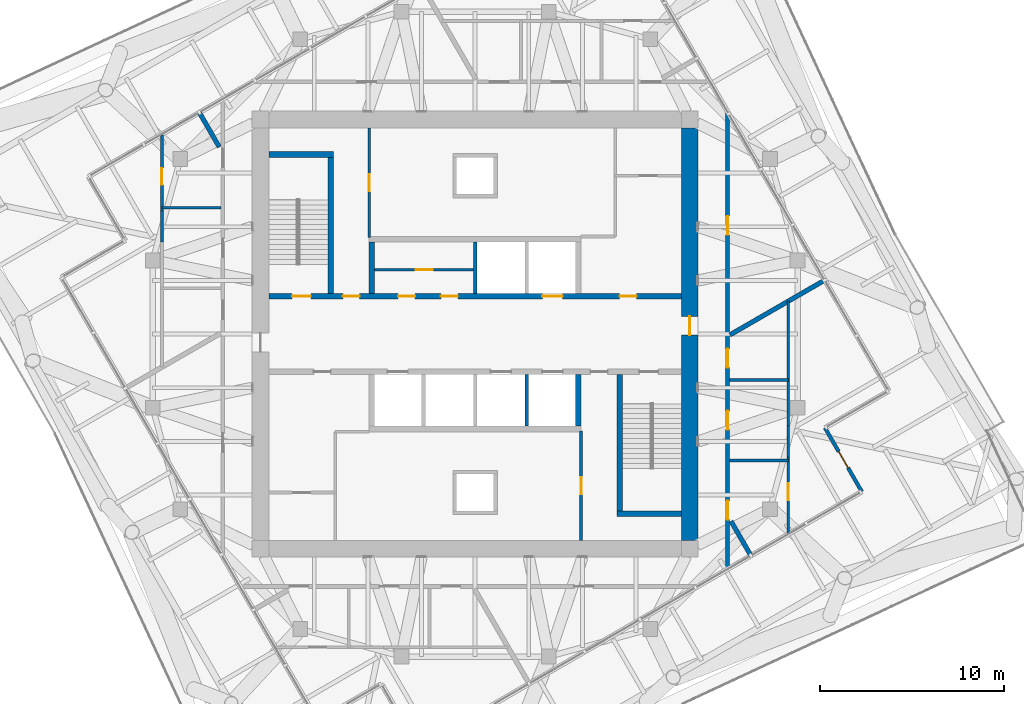
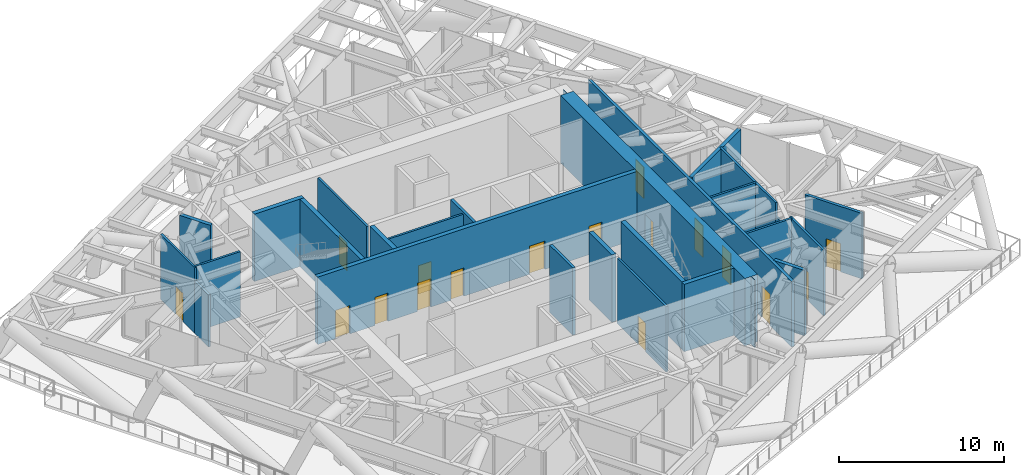
# One storey, part 9 of 12: 26 walls, 17 doors, 17 openings.
"""IFC4 building model written with IfcOpenShell, lengths in metres."""

from ifc_helpers import new_model, si_unit, direction, frame, frame_2d, origin, place, context, subcontext, project, spatial, polyline, rectangle, outline, extrude, material, layer, layer_set, type_object, element, fill, save


model = new_model("IFC4")

# Units and contexts
model_context = context("Model", 3, precision=1e-05, world=origin(), true_north=direction((0.0, 1.0)))
body_context = subcontext(model_context, "Body", "Model", "MODEL_VIEW")
ifc_project = project(units=[si_unit("LENGTHUNIT", "METRE"), si_unit("AREAUNIT", "SQUARE_METRE"), si_unit("VOLUMEUNIT", "CUBIC_METRE"), si_unit("PLANEANGLEUNIT", "RADIAN"), si_unit("MASSUNIT", "GRAM", prefix="KILO")], contexts=[model_context])

# Site, building, storey
site_placement = place(None, origin())
site = spatial("IfcSite", under=ifc_project, at=site_placement, CompositionType="ELEMENT")
building_placement = place(site_placement, origin())
building = spatial("IfcBuilding", under=site, at=building_placement, Name="Torsade Residences", CompositionType="ELEMENT")
storey_placement = place(building_placement, frame((0.0, 0.0, 203.199951171875)))
storey = spatial("IfcBuildingStorey", under=building, at=storey_placement, Name="L56", CompositionType="ELEMENT", Elevation=203.199951171875)

# Wall, openings, doors
ifc_material_1 = material(Name="Concrete 80 MPa", Category="concrete")
ifc_layer_1 = layer(ifc_material_1, 0.300048828125)
ifc_layer_set_1 = layer_set([ifc_layer_1], Name="Concrete 80 MPa")
wall_type_1 = type_object("IfcWallType", Name="CORE INTERNAL WALL 300", PredefinedType="SHEAR", material=ifc_layer_set_1)
wall_1_placement = place(storey_placement, frame((28.800048828125, 32.050048828125, 0.0), z_axis=(0.0, 0.0, 1.0), x_axis=(1.0, 0.0, 0.0)))
wall_1 = element("IfcWall", 1, at=wall_1_placement, inside=storey, type_object=wall_type_1, Name="Core wall LN L56", PredefinedType="SHEAR", context=body_context, shape_type="SweptSolid", body=[
    extrude(rectangle(XDim=22.39990234375, YDim=0.300048828125, at=frame_2d((11.199951171875, 0.0))), origin(), (0.0, 0.0, 1.0), 5.0),
])
opening_1_placement = place(wall_1_placement, frame((19.0400390625, 0.0, 0.0)))
opening_1 = element("IfcOpeningElement", 2, at=opening_1_placement, cuts=wall_1, Name="Opening D06", PredefinedType="OPENING", context=body_context, shape_type="SweptSolid", body=[
    extrude(rectangle(XDim=0.919921875, YDim=2.10009765625, at=frame_2d((0.4599609375, 1.050048828125))), frame((0.0, 0.159912109375, 0.0), z_axis=(0.0, -1.0, 0.0), x_axis=(1.0, 0.0, 0.0)), (0.0, 0.0, 1.0), 0.320068359375),
])
opening_2_placement = place(wall_1_placement, frame((1.264892578125, 0.0, 0.0)))
opening_2 = element("IfcOpeningElement", 3, at=opening_2_placement, cuts=wall_1, Name="Opening D03", PredefinedType="OPENING", context=body_context, shape_type="SweptSolid", body=[
    extrude(rectangle(XDim=1.02001953125, YDim=2.10009765625, at=frame_2d((0.510009765625, 1.050048828125))), frame((0.0, 0.159912109375, 0.0), z_axis=(0.0, -1.0, 0.0), x_axis=(1.0, 0.0, 0.0)), (0.0, 0.0, 1.0), 0.320068359375),
])
opening_3_placement = place(wall_1_placement, frame((4.014892578125, 0.0, 0.0)))
opening_3 = element("IfcOpeningElement", 4, at=opening_3_placement, cuts=wall_1, Name="Opening D06", PredefinedType="OPENING", context=body_context, shape_type="SweptSolid", body=[
    extrude(rectangle(XDim=0.919921875, YDim=2.10009765625, at=frame_2d((0.4599609375, 1.050048828125))), frame((0.0, 0.159912109375, 0.0), z_axis=(0.0, -1.0, 0.0), x_axis=(1.0, 0.0, 0.0)), (0.0, 0.0, 1.0), 0.320068359375),
])
opening_4_placement = place(wall_1_placement, frame((7.014892578125, 0.0, 0.0)))
opening_4 = element("IfcOpeningElement", 5, at=opening_4_placement, cuts=wall_1, Name="Opening D06", PredefinedType="OPENING", context=body_context, shape_type="SweptSolid", body=[
    extrude(rectangle(XDim=0.919921875, YDim=2.10009765625, at=frame_2d((0.4599609375, 1.050048828125))), frame((0.0, 0.159912109375, 0.0), z_axis=(0.0, -1.0, 0.0), x_axis=(1.0, 0.0, 0.0)), (0.0, 0.0, 1.0), 0.320068359375),
])
opening_5_placement = place(wall_1_placement, frame((9.340087890625, 0.0, 0.0)))
opening_5 = element("IfcOpeningElement", 6, at=opening_5_placement, cuts=wall_1, Name="Opening D06", PredefinedType="OPENING", context=body_context, shape_type="SweptSolid", body=[
    extrude(rectangle(XDim=0.919921875, YDim=2.10009765625, at=frame_2d((0.4599609375, 1.050048828125))), frame((0.0, 0.159912109375, 0.0), z_axis=(0.0, -1.0, 0.0), x_axis=(1.0, 0.0, 0.0)), (0.0, 0.0, 1.0), 0.320068359375),
])
opening_6_placement = place(wall_1_placement, frame((14.85009765625, 0.0, 0.0)))
opening_6 = element("IfcOpeningElement", 7, at=opening_6_placement, cuts=wall_1, Name="Opening LD", PredefinedType="OPENING", context=body_context, shape_type="SweptSolid", body=[
    extrude(rectangle(XDim=1.10009765625, YDim=2.10009765625, at=frame_2d((0.550048828125, 1.050048828125))), frame((0.0, 0.159912109375, 0.0), z_axis=(0.0, -1.0, 0.0), x_axis=(1.0, 0.0, 0.0)), (0.0, 0.0, 1.0), 0.320068359375),
])
ifc_material_2 = material(Name="Steel-framed fire door", Category="steel")
door_type_1 = type_object("IfcDoorType", Name="FIRE DOOR 1020", OperationType="NOTDEFINED", PredefinedType="DOOR", material=ifc_material_2)
door_1_placement = place(opening_2_placement, origin())
door_1 = element("IfcDoor", 8, at=door_1_placement, inside=storey, type_object=door_type_1, Name="Exit door to fire-isolated stair ST1 L56", OperationType="SINGLE_SWING_RIGHT", OverallHeight=2.10009765625, OverallWidth=1.02001953125, PredefinedType="DOOR", context=body_context, shape_type="SweptSolid", body=[
    extrude(rectangle(XDim=1.02001953125, YDim=2.10009765625, at=frame_2d((0.510009765625, 1.050048828125))), frame((0.0, 0.02490234375, 0.0), z_axis=(0.0, -1.0, 0.0), x_axis=(1.0, 0.0, 0.0)), (0.0, 0.0, 1.0), 0.050048828125),
])
fill(opening_2, door_1)
ifc_material_3 = material(Name="Steel-framed fire door", Category="steel")
door_type_2 = type_object("IfcDoorType", Name="FIRE DOOR 920", OperationType="NOTDEFINED", PredefinedType="DOOR", material=ifc_material_3)
door_2_placement = place(opening_1_placement, origin())
door_2 = element("IfcDoor", 9, at=door_2_placement, inside=storey, type_object=door_type_2, Name="Door Lift lobby to Refuse room", OperationType="SINGLE_SWING_LEFT", OverallHeight=2.10009765625, OverallWidth=0.919921875, PredefinedType="DOOR", context=body_context, shape_type="SweptSolid", body=[
    extrude(rectangle(XDim=0.919921875, YDim=2.10009765625, at=frame_2d((0.4599609375, 1.050048828125))), frame((0.0, 0.02490234375, 0.0), z_axis=(0.0, -1.0, 0.0), x_axis=(1.0, 0.0, 0.0)), (0.0, 0.0, 1.0), 0.050048828125),
])
fill(opening_1, door_2)
door_3_placement = place(opening_3_placement, origin())
door_3 = element("IfcDoor", 10, at=door_3_placement, inside=storey, type_object=door_type_2, Name="Door Lift lobby to Main switchboard store", OperationType="SINGLE_SWING_LEFT", OverallHeight=2.10009765625, OverallWidth=0.919921875, PredefinedType="DOOR", context=body_context, shape_type="SweptSolid", body=[
    extrude(rectangle(XDim=0.919921875, YDim=2.10009765625, at=frame_2d((0.4599609375, 1.050048828125))), frame((0.0, 0.02490234375, 0.0), z_axis=(0.0, -1.0, 0.0), x_axis=(1.0, 0.0, 0.0)), (0.0, 0.0, 1.0), 0.050048828125),
])
fill(opening_3, door_3)
door_4_placement = place(opening_4_placement, origin())
door_4 = element("IfcDoor", 11, at=door_4_placement, inside=storey, type_object=door_type_2, Name="Door Lift lobby to Parcel room L56A", OperationType="SINGLE_SWING_RIGHT", OverallHeight=2.10009765625, OverallWidth=0.919921875, PredefinedType="DOOR", context=body_context, shape_type="SweptSolid", body=[
    extrude(rectangle(XDim=0.919921875, YDim=2.10009765625, at=frame_2d((0.4599609375, 1.050048828125))), frame((0.0, 0.02490234375, 0.0), z_axis=(0.0, -1.0, 0.0), x_axis=(1.0, 0.0, 0.0)), (0.0, 0.0, 1.0), 0.050048828125),
])
fill(opening_4, door_4)
door_5_placement = place(opening_5_placement, origin())
door_5 = element("IfcDoor", 12, at=door_5_placement, inside=storey, type_object=door_type_2, Name="Door Lift lobby to Parcel room L56A", OperationType="SINGLE_SWING_RIGHT", OverallHeight=2.10009765625, OverallWidth=0.919921875, PredefinedType="DOOR", context=body_context, shape_type="SweptSolid", body=[
    extrude(rectangle(XDim=0.919921875, YDim=2.10009765625, at=frame_2d((0.4599609375, 1.050048828125))), frame((0.0, 0.02490234375, 0.0), z_axis=(0.0, -1.0, 0.0), x_axis=(1.0, 0.0, 0.0)), (0.0, 0.0, 1.0), 0.050048828125),
])
fill(opening_5, door_5)
ifc_material_4 = material(Name="Stainless steel lift landing door", Category="steel")
door_type_3 = type_object("IfcDoorType", Name="LIFT LANDING DOOR 1100", OperationType="SLIDING_TO_LEFT", PredefinedType="DOOR", material=ifc_material_4)
door_6_placement = place(opening_6_placement, origin())
door_6 = element("IfcDoor", 13, at=door_6_placement, inside=storey, type_object=door_type_3, Name="Lift FL1 landing door L56", OperationType="SLIDING_TO_LEFT", OverallHeight=2.10009765625, OverallWidth=1.10009765625, PredefinedType="DOOR", context=body_context, shape_type="SweptSolid", body=[
    extrude(rectangle(XDim=1.10009765625, YDim=2.10009765625, at=frame_2d((0.550048828125, 1.050048828125))), frame((0.0, 0.02490234375, 0.0), z_axis=(0.0, -1.0, 0.0), x_axis=(1.0, 0.0, 0.0)), (0.0, 0.0, 1.0), 0.050048828125),
])
fill(opening_6, door_6)

# Walls
for number, where, z_axis, x_axis, name in (
    (14, (34.39990234375, 32.199951171875, 0.0), (0.0, 0.0, 1.0), (0.0, 1.0, 0.0), "Core wall DN0 L56"),
    (15, (45.60009765625, 27.800048828125, 0.0), (0.0, 0.0, 1.0), (0.0, -1.0, 0.0), "Core wall DS0 L56"),
):
    element("IfcWall", number, at=place(storey_placement, frame(where, z_axis=z_axis, x_axis=x_axis)), inside=storey, type_object=wall_type_1, Name=name, PredefinedType="SHEAR", context=body_context, shape_type="SweptSolid", body=[
        extrude(rectangle(XDim=2.800048828125, YDim=0.300048828125, at=frame_2d((1.39990234375, 0.0))), origin(), (0.0, 0.0, 1.0), 5.0),
    ])
wall_2_placement = place(storey_placement, frame((32.14990234375, 32.199951171875, 0.0), z_axis=(0.0, 0.0, 1.0), x_axis=(0.0, 1.0, 0.0)))
element("IfcWall", 16, at=wall_2_placement, inside=storey, type_object=wall_type_1, Name="Core wall ST1E L56", PredefinedType="SHEAR", context=body_context, shape_type="SweptSolid", body=[
    extrude(rectangle(XDim=7.699951171875, YDim=0.300048828125, at=frame_2d((3.85009765625, 0.0))), origin(), (0.0, 0.0, 1.0), 5.0),
])
wall_3_placement = place(storey_placement, frame((28.800048828125, 39.75, 0.0), z_axis=(0.0, 0.0, 1.0), x_axis=(1.0, 0.0, 0.0)))
element("IfcWall", 17, at=wall_3_placement, inside=storey, type_object=wall_type_1, Name="Core wall ST1N L56", PredefinedType="SHEAR", context=body_context, shape_type="SweptSolid", body=[
    extrude(rectangle(XDim=3.5, YDim=0.300048828125, at=frame_2d((1.75, 0.0))), origin(), (0.0, 0.0, 1.0), 5.0),
])
wall_4_placement = place(storey_placement, frame((47.85009765625, 27.800048828125, 0.0), z_axis=(0.0, 0.0, 1.0), x_axis=(0.0, -1.0, 0.0)))
element("IfcWall", 18, at=wall_4_placement, inside=storey, type_object=wall_type_1, Name="Core wall ST2W L56", PredefinedType="SHEAR", context=body_context, shape_type="SweptSolid", body=[
    extrude(rectangle(XDim=7.699951171875, YDim=0.300048828125, at=frame_2d((3.85009765625, 0.0))), origin(), (0.0, 0.0, 1.0), 5.0),
])
wall_5_placement = place(storey_placement, frame((51.199951171875, 20.25, 0.0), z_axis=(0.0, 0.0, 1.0), x_axis=(-1.0, 0.0, 0.0)))
element("IfcWall", 19, at=wall_5_placement, inside=storey, type_object=wall_type_1, Name="Core wall ST2S L56", PredefinedType="SHEAR", context=body_context, shape_type="SweptSolid", body=[
    extrude(rectangle(XDim=3.5, YDim=0.300048828125, at=frame_2d((1.75, 0.0))), origin(), (0.0, 0.0, 1.0), 5.0),
])

# Wall, opening, door
ifc_material_5 = material(Name="Concrete 80 MPa", Category="concrete")
ifc_layer_2 = layer(ifc_material_5, 0.89990234375)
ifc_layer_set_2 = layer_set([ifc_layer_2], Name="Concrete 80 MPa")
wall_type_2 = type_object("IfcWallType", Name="CORE WALL 900", PredefinedType="SHEAR", material=ifc_layer_set_2)
wall_6_placement = place(storey_placement, frame((51.64990234375, 18.800048828125, 0.0), z_axis=(0.0, 0.0, 1.0), x_axis=(0.0, 1.0, 0.0)))
wall_6 = element("IfcWall", 20, at=wall_6_placement, inside=storey, type_object=wall_type_2, Name="Core wall E L56", PredefinedType="SHEAR", context=body_context, shape_type="SweptSolid", body=[
    extrude(outline(polyline([(0.0, -0.449951171875), (22.39990234375, -0.449951171875), (22.39990234375, -0.02490234375), (22.849853515625, -0.02490234375), (22.849853515625, 0.02490234375), (22.39990234375, 0.02490234375), (22.39990234375, 0.449951171875), (0.0, 0.449951171875), (0.0, 0.02490234375), (-0.449951171875, 0.02490234375), (-0.449951171875, -0.02490234375), (0.0, -0.02490234375), (0.0, -0.449951171875)])), origin(), (0.0, 0.0, 1.0), 5.0),
])
opening_7_placement = place(wall_6_placement, frame((11.139892578125, 0.0, 0.0)))
opening_7 = element("IfcOpeningElement", 21, at=opening_7_placement, cuts=wall_6, Name="Opening D04", PredefinedType="OPENING", context=body_context, shape_type="SweptSolid", body=[
    extrude(rectangle(XDim=1.02001953125, YDim=2.39990234375, at=frame_2d((0.510009765625, 1.199951171875))), frame((0.0, 0.4599609375, 0.0), z_axis=(0.0, -1.0, 0.0), x_axis=(1.0, 0.0, 0.0)), (0.0, 0.0, 1.0), 0.919921875),
])
ifc_material_6 = material(Name="Steel-framed fire door", Category="steel")
door_type_4 = type_object("IfcDoorType", Name="LOBBY SMOKE DOOR 1020x2400", OperationType="NOTDEFINED", PredefinedType="DOOR", material=ifc_material_6)
door_7_placement = place(opening_7_placement, origin())
door_7 = element("IfcDoor", 22, at=door_7_placement, inside=storey, type_object=door_type_4, Name="Lift lobby door E L56", OperationType="SINGLE_SWING_LEFT", OverallHeight=2.39990234375, OverallWidth=1.02001953125, PredefinedType="DOOR", context=body_context, shape_type="SweptSolid", body=[
    extrude(rectangle(XDim=1.02001953125, YDim=2.39990234375, at=frame_2d((0.510009765625, 1.199951171875))), frame((0.0, 0.02490234375, 0.0), z_axis=(0.0, -1.0, 0.0), x_axis=(1.0, 0.0, 0.0)), (0.0, 0.0, 1.0), 0.050048828125),
])
fill(opening_7, door_7)

# Wall, openings, doors
ifc_material_7 = material(Name="Plasterboard on steel stud", Category="steel")
ifc_layer_3 = layer(ifc_material_7, 0.199951171875)
ifc_layer_set_3 = layer_set([ifc_layer_3], Name="Plasterboard on steel stud")
wall_type_3 = type_object("IfcWallType", Name="CORRIDOR WALL 200", PredefinedType="PARTITIONING", material=ifc_layer_set_3)
wall_7_placement = place(storey_placement, frame((53.699951171875, 17.286865234375, 0.0), z_axis=(0.0, 0.0, 1.0), x_axis=(0.0, 1.0, 0.0)))
wall_7 = element("IfcWall", 23, at=wall_7_placement, inside=storey, type_object=wall_type_3, Name="Corridor wall L56", PredefinedType="PARTITIONING", context=body_context, shape_type="SweptSolid", body=[
    extrude(rectangle(XDim=24.7041015625, YDim=0.199951171875, at=frame_2d((12.35205078125, 0.0))), origin(), (0.0, 0.0, 1.0), 4.85009765625),
])
opening_8_placement = place(wall_7_placement, frame((18.094482421875, 0.0, 0.0)))
opening_8 = element("IfcOpeningElement", 24, at=opening_8_placement, cuts=wall_7, Name="Opening D01", PredefinedType="OPENING", context=body_context, shape_type="SweptSolid", body=[
    extrude(rectangle(XDim=1.02001953125, YDim=2.340087890625, at=frame_2d((0.510009765625, 1.169921875))), frame((0.0, 0.10986328125, 0.0), z_axis=(0.0, -1.0, 0.0), x_axis=(1.0, 0.0, 0.0)), (0.0, 0.0, 1.0), 0.219970703125),
])
opening_9_placement = place(wall_7_placement, frame((2.642333984375, 0.0, 0.0)))
opening_9 = element("IfcOpeningElement", 25, at=opening_9_placement, cuts=wall_7, Name="Opening D01", PredefinedType="OPENING", context=body_context, shape_type="SweptSolid", body=[
    extrude(rectangle(XDim=1.02001953125, YDim=2.340087890625, at=frame_2d((0.510009765625, 1.169921875))), frame((0.0, 0.10986328125, 0.0), z_axis=(0.0, -1.0, 0.0), x_axis=(1.0, 0.0, 0.0)), (0.0, 0.0, 1.0), 0.219970703125),
])
opening_10_placement = place(wall_7_placement, frame((7.533935546875, 0.0, 0.0)))
opening_10 = element("IfcOpeningElement", 26, at=opening_10_placement, cuts=wall_7, Name="Opening D01", PredefinedType="OPENING", context=body_context, shape_type="SweptSolid", body=[
    extrude(rectangle(XDim=1.02001953125, YDim=2.340087890625, at=frame_2d((0.510009765625, 1.169921875))), frame((0.0, 0.10986328125, 0.0), z_axis=(0.0, -1.0, 0.0), x_axis=(1.0, 0.0, 0.0)), (0.0, 0.0, 1.0), 0.219970703125),
])
opening_11_placement = place(wall_7_placement, frame((10.894287109375, 0.0, 0.0)))
opening_11 = element("IfcOpeningElement", 27, at=opening_11_placement, cuts=wall_7, Name="Opening D01", PredefinedType="OPENING", context=body_context, shape_type="SweptSolid", body=[
    extrude(rectangle(XDim=1.02001953125, YDim=2.340087890625, at=frame_2d((0.510009765625, 1.169921875))), frame((0.0, 0.10986328125, 0.0), z_axis=(0.0, -1.0, 0.0), x_axis=(1.0, 0.0, 0.0)), (0.0, 0.0, 1.0), 0.219970703125),
])
ifc_material_8 = material(Name="Solid-core timber fire door", Category="wood")
door_type_5 = type_object("IfcDoorType", Name="APARTMENT ENTRY DOOR 1020x2340", OperationType="NOTDEFINED", PredefinedType="DOOR", material=ifc_material_8)
door_8_placement = place(opening_8_placement, origin())
door_8 = element("IfcDoor", 28, at=door_8_placement, inside=storey, type_object=door_type_5, Name="Door Plant corridor to Refuge area", OperationType="SINGLE_SWING_LEFT", OverallHeight=2.340087890625, OverallWidth=1.02001953125, PredefinedType="DOOR", context=body_context, shape_type="SweptSolid", body=[
    extrude(rectangle(XDim=1.02001953125, YDim=2.340087890625, at=frame_2d((0.510009765625, 1.169921875))), frame((0.0, 0.02490234375, 0.0), z_axis=(0.0, -1.0, 0.0), x_axis=(1.0, 0.0, 0.0)), (0.0, 0.0, 1.0), 0.050048828125),
])
fill(opening_8, door_8)
door_9_placement = place(opening_9_placement, origin())
door_9 = element("IfcDoor", 29, at=door_9_placement, inside=storey, type_object=door_type_5, Name="Door Plant corridor to Service lobby", OperationType="SINGLE_SWING_RIGHT", OverallHeight=2.340087890625, OverallWidth=1.02001953125, PredefinedType="DOOR", context=body_context, shape_type="SweptSolid", body=[
    extrude(rectangle(XDim=1.02001953125, YDim=2.340087890625, at=frame_2d((0.510009765625, 1.169921875))), frame((0.0, 0.02490234375, 0.0), z_axis=(0.0, -1.0, 0.0), x_axis=(1.0, 0.0, 0.0)), (0.0, 0.0, 1.0), 0.050048828125),
])
fill(opening_9, door_9)
door_10_placement = place(opening_10_placement, origin())
door_10 = element("IfcDoor", 30, at=door_10_placement, inside=storey, type_object=door_type_5, Name="Door Plant corridor to Pump room", OperationType="SINGLE_SWING_LEFT", OverallHeight=2.340087890625, OverallWidth=1.02001953125, PredefinedType="DOOR", context=body_context, shape_type="SweptSolid", body=[
    extrude(rectangle(XDim=1.02001953125, YDim=2.340087890625, at=frame_2d((0.510009765625, 1.169921875))), frame((0.0, 0.02490234375, 0.0), z_axis=(0.0, -1.0, 0.0), x_axis=(1.0, 0.0, 0.0)), (0.0, 0.0, 1.0), 0.050048828125),
])
fill(opening_10, door_10)
door_11_placement = place(opening_11_placement, origin())
door_11 = element("IfcDoor", 31, at=door_11_placement, inside=storey, type_object=door_type_5, Name="Door Plant corridor to Plant cupboard", OperationType="SINGLE_SWING_LEFT", OverallHeight=2.340087890625, OverallWidth=1.02001953125, PredefinedType="DOOR", context=body_context, shape_type="SweptSolid", body=[
    extrude(rectangle(XDim=1.02001953125, YDim=2.340087890625, at=frame_2d((0.510009765625, 1.169921875))), frame((0.0, 0.02490234375, 0.0), z_axis=(0.0, -1.0, 0.0), x_axis=(1.0, 0.0, 0.0)), (0.0, 0.0, 1.0), 0.050048828125),
])
fill(opening_11, door_11)

# Walls
ifc_material_9 = material(Name="Reinforced blockwork", Category="masonry")
ifc_layer_4 = layer(ifc_material_9, 0.199951171875)
ifc_layer_set_4 = layer_set([ifc_layer_4], Name="Reinforced blockwork")
wall_type_4 = type_object("IfcWallType", Name="LIFT SHAFT DIVIDING WALL 200", PredefinedType="SOLIDWALL", material=ifc_layer_set_4)
for number, where, z_axis, x_axis, name in (
    (32, (42.800048828125, 27.800048828125, 0.0), (0.0, 0.0, 1.0), (0.0, -1.0, 0.0), "Core wall DS1 L56"),
    (33, (40.0, 32.199951171875, 0.0), (0.0, 0.0, 1.0), (0.0, 1.0, 0.0), "Core wall DN2 L56"),
):
    element("IfcWall", number, at=place(storey_placement, frame(where, z_axis=z_axis, x_axis=x_axis)), inside=storey, type_object=wall_type_4, Name=name, PredefinedType="SOLIDWALL", context=body_context, shape_type="SweptSolid", body=[
        extrude(rectangle(XDim=2.800048828125, YDim=0.199951171875, at=frame_2d((1.39990234375, 0.0))), origin(), (0.0, 0.0, 1.0), 5.0),
    ])
ifc_material_10 = material(Name="Masonry-lined stud party wall", Category="masonry")
ifc_layer_5 = layer(ifc_material_10, 0.25)
ifc_layer_set_5 = layer_set([ifc_layer_5], Name="Masonry-lined stud party wall")
wall_type_5 = type_object("IfcWallType", Name="PARTY WALL 250", PredefinedType="PARTITIONING", material=ifc_layer_set_5)
wall_8_placement = place(storey_placement, frame((54.968994140625, 17.97314453125, 0.0), z_axis=(0.0, 0.0, 1.0), x_axis=(-0.500087501723, 0.865974878747, 0.0)))
element("IfcWall", 34, at=wall_8_placement, inside=storey, type_object=wall_type_5, Name="Party wall L56", PredefinedType="PARTITIONING", context=body_context, shape_type="SweptSolid", body=[
    extrude(rectangle(XDim=2.1611328125, YDim=0.25, at=frame_2d((1.08056640625, 0.0))), origin(), (0.0, 0.0, 1.0), 4.85009765625),
])
wall_9_placement = place(storey_placement, frame((58.976806640625, 32.93115234375, 0.0), z_axis=(0.0, 0.0, 1.0), x_axis=(-0.866013262469, -0.500021028785, 0.0)))
element("IfcWall", 35, at=wall_9_placement, inside=storey, type_object=wall_type_5, Name="Party wall L56", PredefinedType="PARTITIONING", context=body_context, shape_type="SweptSolid", body=[
    extrude(rectangle(XDim=5.945556640625, YDim=0.25, at=frame_2d((2.97265625, 0.0))), origin(), (0.0, 0.0, 1.0), 4.85009765625),
])
wall_10_placement = place(storey_placement, frame((25.031005859375, 42.02685546875, 0.0), z_axis=(0.0, 0.0, 1.0), x_axis=(0.500087501723, -0.865974878747, 0.0)))
element("IfcWall", 36, at=wall_10_placement, inside=storey, type_object=wall_type_5, Name="Party wall L56", PredefinedType="PARTITIONING", context=body_context, shape_type="SweptSolid", body=[
    extrude(rectangle(XDim=2.1611328125, YDim=0.25, at=frame_2d((1.08056640625, 0.0))), origin(), (0.0, 0.0, 1.0), 4.85009765625),
])

# Wall, opening, door
ifc_material_11 = material(Name="Stone-faced precast concrete 40 MPa panel", Category="masonry")
ifc_layer_6 = layer(ifc_material_11, 0.199951171875)
ifc_layer_set_6 = layer_set([ifc_layer_6], Name="Stone-faced precast concrete 40 MPa panel")
wall_type_6 = type_object("IfcWallType", Name="PLANT ROOM EXTERNAL WALL 200", PredefinedType="SOLIDWALL", material=ifc_layer_set_6)
wall_11_placement = place(storey_placement, frame((60.98779296875, 21.4482421875, 0.0), z_axis=(0.0, 0.0, 1.0), x_axis=(-0.49999894854, 0.866026010844, 0.0)))
wall_11 = element("IfcWall", 37, at=wall_11_placement, inside=storey, type_object=wall_type_6, Name="Plant room wall L56 2", PredefinedType="SOLIDWALL", context=body_context, shape_type="SweptSolid", body=[
    extrude(rectangle(XDim=4.0, YDim=0.199951171875, at=frame_2d((2.0, 0.0))), origin(), (0.0, 0.0, 1.0), 4.85009765625),
])
opening_12_placement = place(wall_11_placement, frame((1.489990234375, 0.0, 0.0)))
opening_12 = element("IfcOpeningElement", 38, at=opening_12_placement, cuts=wall_11, Name="Opening D11", PredefinedType="OPENING", context=body_context, shape_type="SweptSolid", body=[
    extrude(rectangle(XDim=1.02001953125, YDim=2.10009765625, at=frame_2d((0.510009765625, 1.050048828125))), frame((0.0, 0.10986328125, 0.0), z_axis=(0.0, -1.0, 0.0), x_axis=(1.0, 0.0, 0.0)), (0.0, 0.0, 1.0), 0.219970703125),
])
ifc_material_12 = material(Name="Steel-framed external door", Category="steel")
door_type_6 = type_object("IfcDoorType", Name="MAINTENANCE ROOF DOOR 1020", OperationType="NOTDEFINED", PredefinedType="DOOR", material=ifc_material_12)
door_12_placement = place(opening_12_placement, origin())
door_12 = element("IfcDoor", 39, at=door_12_placement, inside=storey, type_object=door_type_6, Name="Maintenance roof door L56", OperationType="SINGLE_SWING_RIGHT", OverallHeight=2.10009765625, OverallWidth=1.02001953125, PredefinedType="DOOR", context=body_context, shape_type="SweptSolid", body=[
    extrude(rectangle(XDim=1.02001953125, YDim=2.10009765625, at=frame_2d((0.510009765625, 1.050048828125))), frame((0.0, 0.02490234375, 0.0), z_axis=(0.0, -1.0, 0.0), x_axis=(1.0, 0.0, 0.0)), (0.0, 0.0, 1.0), 0.050048828125),
])
fill(opening_12, door_12)

ifc_material_13 = material(Name="Reinforced blockwork", Category="masonry")
ifc_layer_7 = layer(ifc_material_13, 0.14990234375)
ifc_layer_set_7 = layer_set([ifc_layer_7], Name="Reinforced blockwork")
wall_type_7 = type_object("IfcWallType", Name="SERVICE ROOM WALL 150", PredefinedType="SOLIDWALL", material=ifc_layer_set_7)
wall_12_placement = place(storey_placement, frame((34.25, 41.199951171875, 0.0), z_axis=(0.0, 0.0, 1.0), x_axis=(0.0, -1.0, 0.0)))
wall_12 = element("IfcWall", 40, at=wall_12_placement, inside=storey, type_object=wall_type_7, Name="Service room wall L56", PredefinedType="SOLIDWALL", context=body_context, shape_type="SweptSolid", body=[
    extrude(rectangle(XDim=5.949951171875, YDim=0.14990234375, at=frame_2d((2.97509765625, 0.0))), origin(), (0.0, 0.0, 1.0), 4.85009765625),
])
opening_13_placement = place(wall_12_placement, frame((2.514892578125, 0.0, 0.0)))
opening_13 = element("IfcOpeningElement", 41, at=opening_13_placement, cuts=wall_12, Name="Opening D06", PredefinedType="OPENING", context=body_context, shape_type="SweptSolid", body=[
    extrude(rectangle(XDim=0.919921875, YDim=2.10009765625, at=frame_2d((0.4599609375, 1.050048828125))), frame((0.0, 0.0849609375, 0.0), z_axis=(0.0, -1.0, 0.0), x_axis=(1.0, 0.0, 0.0)), (0.0, 0.0, 1.0), 0.169921875),
])
door_13_placement = place(opening_13_placement, origin())
door_13 = element("IfcDoor", 42, at=door_13_placement, inside=storey, type_object=door_type_2, Name="Door Main switchboard store to Electrical riser room", OperationType="SINGLE_SWING_LEFT", OverallHeight=2.10009765625, OverallWidth=0.919921875, PredefinedType="DOOR", context=body_context, shape_type="SweptSolid", body=[
    extrude(rectangle(XDim=0.919921875, YDim=2.10009765625, at=frame_2d((0.4599609375, 1.050048828125))), frame((0.0, 0.02490234375, 0.0), z_axis=(0.0, -1.0, 0.0), x_axis=(1.0, 0.0, 0.0)), (0.0, 0.0, 1.0), 0.050048828125),
])
fill(opening_13, door_13)

wall_13_placement = place(storey_placement, frame((45.75, 18.800048828125, 0.0), z_axis=(0.0, 0.0, 1.0), x_axis=(0.0, 1.0, 0.0)))
wall_13 = element("IfcWall", 43, at=wall_13_placement, inside=storey, type_object=wall_type_7, Name="Service room wall L56", PredefinedType="SOLIDWALL", context=body_context, shape_type="SweptSolid", body=[
    extrude(rectangle(XDim=5.949951171875, YDim=0.14990234375, at=frame_2d((2.97509765625, 0.0))), origin(), (0.0, 0.0, 1.0), 4.85009765625),
])
opening_14_placement = place(wall_13_placement, frame((2.514892578125, 0.0, 0.0)))
opening_14 = element("IfcOpeningElement", 44, at=opening_14_placement, cuts=wall_13, Name="Opening D06", PredefinedType="OPENING", context=body_context, shape_type="SweptSolid", body=[
    extrude(rectangle(XDim=0.919921875, YDim=2.10009765625, at=frame_2d((0.4599609375, 1.050048828125))), frame((0.0, 0.0849609375, 0.0), z_axis=(0.0, -1.0, 0.0), x_axis=(1.0, 0.0, 0.0)), (0.0, 0.0, 1.0), 0.169921875),
])
door_14_placement = place(opening_14_placement, origin())
door_14 = element("IfcDoor", 45, at=door_14_placement, inside=storey, type_object=door_type_2, Name="Door Security and data store to Communications riser room", OperationType="SINGLE_SWING_RIGHT", OverallHeight=2.10009765625, OverallWidth=0.919921875, PredefinedType="DOOR", context=body_context, shape_type="SweptSolid", body=[
    extrude(rectangle(XDim=0.919921875, YDim=2.10009765625, at=frame_2d((0.4599609375, 1.050048828125))), frame((0.0, 0.02490234375, 0.0), z_axis=(0.0, -1.0, 0.0), x_axis=(1.0, 0.0, 0.0)), (0.0, 0.0, 1.0), 0.050048828125),
])
fill(opening_14, door_14)

# Walls
wall_14_placement = place(storey_placement, frame((53.800048828125, 23.145263671875, 0.0), z_axis=(0.0, 0.0, 1.0), x_axis=(1.0, 0.0, 0.0)))
element("IfcWall", 46, at=wall_14_placement, inside=storey, type_object=wall_type_7, Name="Service room wall L56", PredefinedType="SOLIDWALL", context=body_context, shape_type="SweptSolid", body=[
    extrude(rectangle(XDim=3.199951171875, YDim=0.14990234375, at=frame_2d((1.60009765625, 0.0))), origin(), (0.0, 0.0, 1.0), 4.85009765625),
])
wall_15_placement = place(storey_placement, frame((57.0, 31.789794921875, 0.0), z_axis=(0.0, 0.0, 1.0), x_axis=(0.0, -1.0, 0.0)))
element("IfcWall", 47, at=wall_15_placement, inside=storey, type_object=wall_type_7, Name="Service room wall L56", PredefinedType="SOLIDWALL", context=body_context, shape_type="SweptSolid", body=[
    extrude(rectangle(XDim=6.778076171875, YDim=0.14990234375, at=frame_2d((3.38916015625, 0.0))), origin(), (0.0, 0.0, 1.0), 4.85009765625),
])
wall_16_placement = place(storey_placement, frame((57.0, 25.01171875, 0.0), z_axis=(0.0, 0.0, 1.0), x_axis=(0.0, -1.0, 0.0)))
element("IfcWall", 48, at=wall_16_placement, inside=storey, type_object=wall_type_7, Name="Service room wall L56", PredefinedType="SOLIDWALL", context=body_context, shape_type="SweptSolid", body=[
    extrude(rectangle(XDim=1.690185546875, YDim=0.14990234375, at=frame_2d((0.84521484375, 0.0))), origin(), (0.0, 0.0, 1.0), 3.85009765625),
])

# Wall, opening, door
wall_17_placement = place(storey_placement, frame((57.0, 23.321533203125, 0.0), z_axis=(0.0, 0.0, 1.0), x_axis=(0.0, -1.0, 0.0)))
wall_17 = element("IfcWall", 49, at=wall_17_placement, inside=storey, type_object=wall_type_7, Name="Service room wall L56", PredefinedType="SOLIDWALL", context=body_context, shape_type="SweptSolid", body=[
    extrude(rectangle(XDim=4.129638671875, YDim=0.14990234375, at=frame_2d((2.06494140625, 0.0))), origin(), (0.0, 0.0, 1.0), 4.85009765625),
])
opening_15_placement = place(wall_17_placement, frame((1.416015625, 0.0, 0.0)))
opening_15 = element("IfcOpeningElement", 50, at=opening_15_placement, cuts=wall_17, Name="Opening D06", PredefinedType="OPENING", context=body_context, shape_type="SweptSolid", body=[
    extrude(rectangle(XDim=0.919921875, YDim=2.10009765625, at=frame_2d((0.4599609375, 1.050048828125))), frame((0.0, 0.0849609375, 0.0), z_axis=(0.0, -1.0, 0.0), x_axis=(1.0, 0.0, 0.0)), (0.0, 0.0, 1.0), 0.169921875),
])
door_15_placement = place(opening_15_placement, origin())
door_15 = element("IfcDoor", 51, at=door_15_placement, inside=storey, type_object=door_type_2, Name="Door Service lobby to Mechanical plant room", OperationType="SINGLE_SWING_RIGHT", OverallHeight=2.10009765625, OverallWidth=0.919921875, PredefinedType="DOOR", context=body_context, shape_type="SweptSolid", body=[
    extrude(rectangle(XDim=0.919921875, YDim=2.10009765625, at=frame_2d((0.4599609375, 1.050048828125))), frame((0.0, 0.02490234375, 0.0), z_axis=(0.0, -1.0, 0.0), x_axis=(1.0, 0.0, 0.0)), (0.0, 0.0, 1.0), 0.050048828125),
])
fill(opening_15, door_15)

# Walls
for number, where, z_axis, x_axis, name in (
    (52, (53.800048828125, 27.516357421875, 0.0), (0.0, 0.0, 1.0), (1.0, 0.0, 0.0), "Service room wall L56"),
    (53, (26.199951171875, 36.854736328125, 0.0), (0.0, 0.0, 1.0), (-1.0, 0.0, 0.0), "Service room wall L56"),
):
    element("IfcWall", number, at=place(storey_placement, frame(where, z_axis=z_axis, x_axis=x_axis)), inside=storey, type_object=wall_type_7, Name=name, PredefinedType="SOLIDWALL", context=body_context, shape_type="SweptSolid", body=[
        extrude(rectangle(XDim=3.199951171875, YDim=0.14990234375, at=frame_2d((1.60009765625, 0.0))), origin(), (0.0, 0.0, 1.0), 4.85009765625),
    ])
wall_18_placement = place(storey_placement, frame((23.0, 34.98828125, 0.0), z_axis=(0.0, 0.0, 1.0), x_axis=(0.0, 1.0, 0.0)))
element("IfcWall", 54, at=wall_18_placement, inside=storey, type_object=wall_type_7, Name="Service room wall L56", PredefinedType="SOLIDWALL", context=body_context, shape_type="SweptSolid", body=[
    extrude(rectangle(XDim=1.690185546875, YDim=0.14990234375, at=frame_2d((0.84521484375, 0.0))), origin(), (0.0, 0.0, 1.0), 3.85009765625),
])

# Wall, opening, door
wall_19_placement = place(storey_placement, frame((23.0, 36.678466796875, 0.0), z_axis=(0.0, 0.0, 1.0), x_axis=(0.0, 1.0, 0.0)))
wall_19 = element("IfcWall", 55, at=wall_19_placement, inside=storey, type_object=wall_type_7, Name="Service room wall L56", PredefinedType="SOLIDWALL", context=body_context, shape_type="SweptSolid", body=[
    extrude(rectangle(XDim=4.129638671875, YDim=0.14990234375, at=frame_2d((2.06494140625, 0.0))), origin(), (0.0, 0.0, 1.0), 4.85009765625),
])
opening_16_placement = place(wall_19_placement, frame((1.416015625, 0.0, 0.0)))
opening_16 = element("IfcOpeningElement", 56, at=opening_16_placement, cuts=wall_19, Name="Opening D06", PredefinedType="OPENING", context=body_context, shape_type="SweptSolid", body=[
    extrude(rectangle(XDim=0.919921875, YDim=2.10009765625, at=frame_2d((0.4599609375, 1.050048828125))), frame((0.0, 0.0849609375, 0.0), z_axis=(0.0, -1.0, 0.0), x_axis=(1.0, 0.0, 0.0)), (0.0, 0.0, 1.0), 0.169921875),
])
door_16_placement = place(opening_16_placement, origin())
door_16 = element("IfcDoor", 57, at=door_16_placement, inside=storey, type_object=door_type_2, Name="Door Service lobby to Mechanical plant room", OperationType="SINGLE_SWING_LEFT", OverallHeight=2.10009765625, OverallWidth=0.919921875, PredefinedType="DOOR", context=body_context, shape_type="SweptSolid", body=[
    extrude(rectangle(XDim=0.919921875, YDim=2.10009765625, at=frame_2d((0.4599609375, 1.050048828125))), frame((0.0, 0.02490234375, 0.0), z_axis=(0.0, -1.0, 0.0), x_axis=(1.0, 0.0, 0.0)), (0.0, 0.0, 1.0), 0.050048828125),
])
fill(opening_16, door_16)

wall_20_placement = place(storey_placement, frame((34.550048828125, 33.5, 0.0), z_axis=(0.0, 0.0, 1.0), x_axis=(1.0, 0.0, 0.0)))
wall_20 = element("IfcWall", 58, at=wall_20_placement, inside=storey, type_object=wall_type_7, Name="Service room wall L56", PredefinedType="SOLIDWALL", context=body_context, shape_type="SweptSolid", body=[
    extrude(rectangle(XDim=5.349853515625, YDim=0.14990234375, at=frame_2d((2.6748046875, 0.0))), origin(), (0.0, 0.0, 1.0), 4.85009765625),
])
opening_17_placement = place(wall_20_placement, frame((2.215087890625, 0.0, 0.0)))
opening_17 = element("IfcOpeningElement", 59, at=opening_17_placement, cuts=wall_20, Name="Opening D06", PredefinedType="OPENING", context=body_context, shape_type="SweptSolid", body=[
    extrude(rectangle(XDim=0.919921875, YDim=2.10009765625, at=frame_2d((0.4599609375, 1.050048828125))), frame((0.0, 0.0849609375, 0.0), z_axis=(0.0, -1.0, 0.0), x_axis=(1.0, 0.0, 0.0)), (0.0, 0.0, 1.0), 0.169921875),
])
door_17_placement = place(opening_17_placement, origin())
door_17 = element("IfcDoor", 60, at=door_17_placement, inside=storey, type_object=door_type_2, Name="Door Parcel room L56A to Records store L56B", OperationType="SINGLE_SWING_RIGHT", OverallHeight=2.10009765625, OverallWidth=0.919921875, PredefinedType="DOOR", context=body_context, shape_type="SweptSolid", body=[
    extrude(rectangle(XDim=0.919921875, YDim=2.10009765625, at=frame_2d((0.4599609375, 1.050048828125))), frame((0.0, 0.02490234375, 0.0), z_axis=(0.0, -1.0, 0.0), x_axis=(1.0, 0.0, 0.0)), (0.0, 0.0, 1.0), 0.050048828125),
])
fill(opening_17, door_17)

save(model, "model.ifc")
